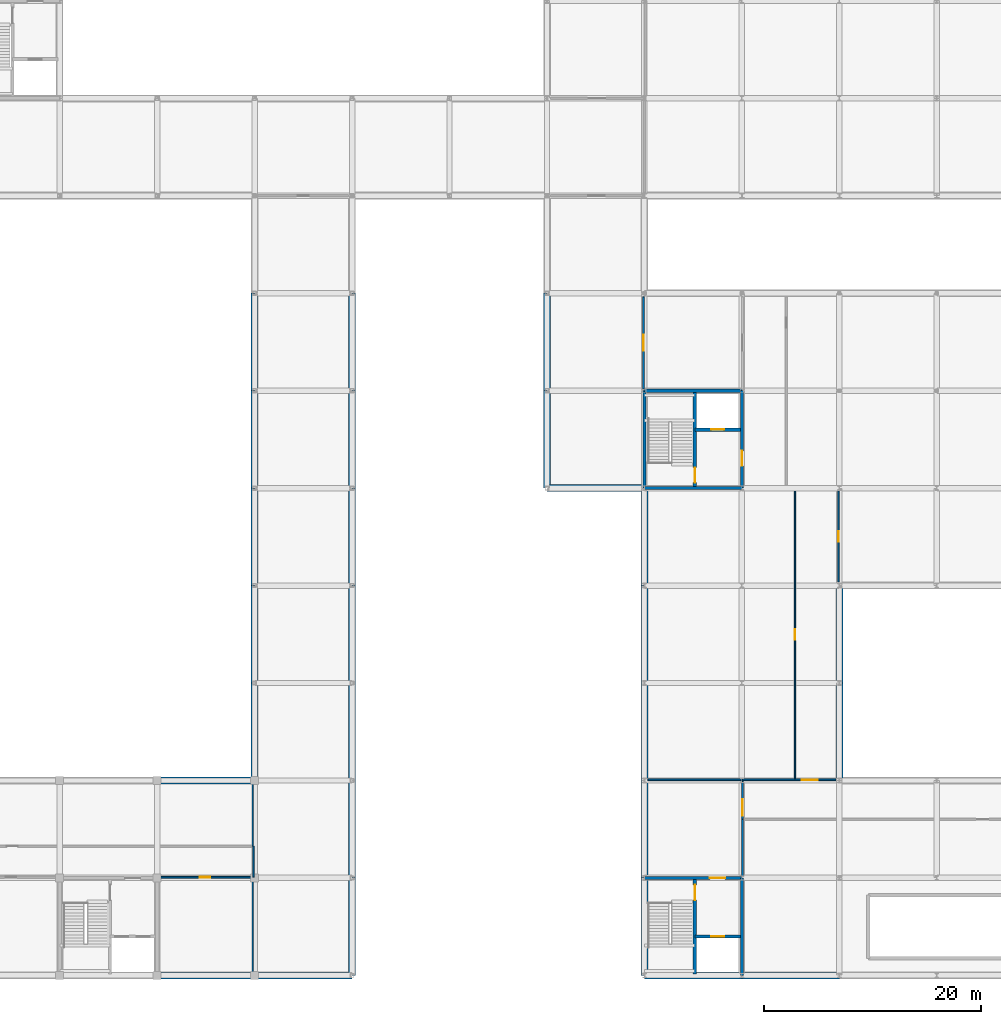
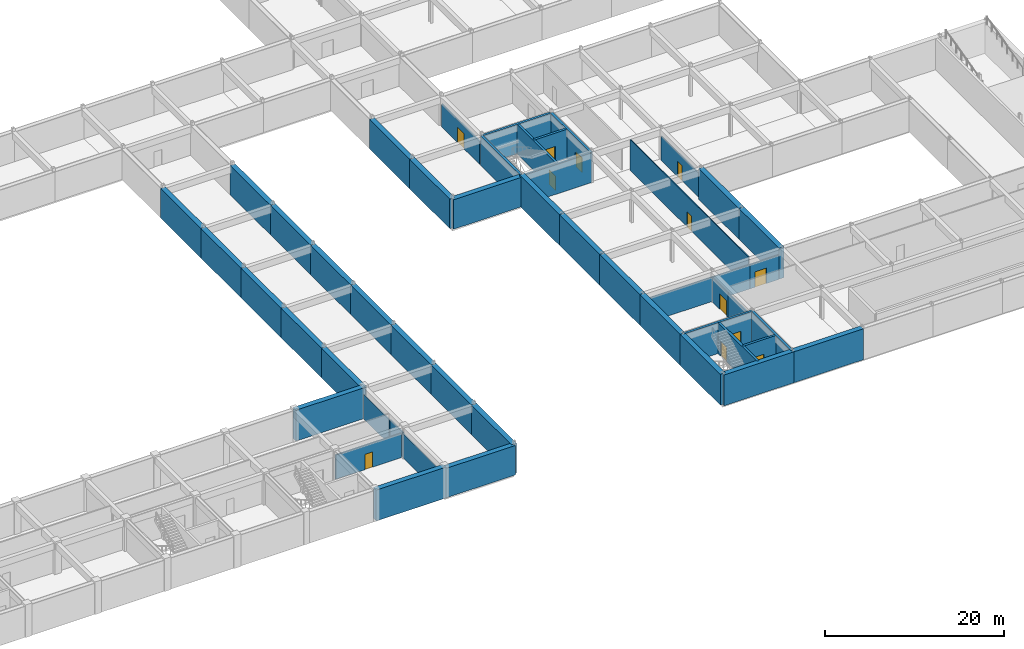
# One storey, part 21 of 35: 49 walls, 12 doors, 12 openings.
"""IFC4 building model written with IfcOpenShell, lengths in metres."""

from ifc_helpers import new_model, si_unit, direction, frame, frame_2d, origin, place, context, subcontext, project, spatial, rectangle, extrude, material, layer, layer_set, type_object, element, fill, save


model = new_model("IFC4")

# Units and contexts
model_context = context("Model", 3, precision=1e-05, world=origin(), true_north=direction((0.0, 1.0)))
body_context = subcontext(model_context, "Body", "Model", "MODEL_VIEW")
ifc_project = project(units=[si_unit("LENGTHUNIT", "METRE"), si_unit("AREAUNIT", "SQUARE_METRE"), si_unit("VOLUMEUNIT", "CUBIC_METRE"), si_unit("PLANEANGLEUNIT", "RADIAN"), si_unit("MASSUNIT", "GRAM", prefix="KILO")], contexts=[model_context])

# Site, building, storey
site_placement = place(None, origin())
site = spatial("IfcSite", under=ifc_project, at=site_placement, CompositionType="ELEMENT")
building_placement = place(site_placement, origin())
building = spatial("IfcBuilding", under=site, at=building_placement, Name="Palais des Congres Ocreval", CompositionType="ELEMENT")
storey_placement = place(building_placement, frame((0.0, 0.0, -4.47998046875)))
storey = spatial("IfcBuildingStorey", under=building, at=storey_placement, Name="B1", CompositionType="ELEMENT", Elevation=-4.47998046875)

# Wall
ifc_material_1 = material(Name="Concrete C40/50", Category="concrete")
ifc_layer_1 = layer(ifc_material_1, 0.300048828125)
ifc_layer_set_1 = layer_set([ifc_layer_1], Name="Core Shear Wall 300 Concrete C40/50")
wall_type_1 = type_object("IfcWallType", Name="Core Shear Wall 300 Concrete C40/50", PredefinedType="SHEAR", material=ifc_layer_set_1)
wall_1_placement = place(storey_placement, frame((117.0, 0.0, 0.0), z_axis=(0.0, 0.0, 1.0), x_axis=(0.0, 1.0, 0.0)))
element("IfcWall", 1, at=wall_1_placement, inside=storey, type_object=wall_type_1, Name="Core Shear Wall SC09 B1 E", PredefinedType="SHEAR", context=body_context, shape_type="SweptSolid", body=[
    extrude(rectangle(XDim=9.0, YDim=0.300048828125, at=frame_2d((4.5, 0.0))), origin(), (0.0, 0.0, 1.0), 4.219970703125),
])

# Wall, opening, door
wall_2_placement = place(storey_placement, frame((108.0, 9.0, 0.0), z_axis=(0.0, 0.0, 1.0), x_axis=(1.0, 0.0, 0.0)))
wall_2 = element("IfcWall", 2, at=wall_2_placement, inside=storey, type_object=wall_type_1, Name="Core Shear Wall SC09 B1 N", PredefinedType="SHEAR", context=body_context, shape_type="SweptSolid", body=[
    extrude(rectangle(XDim=9.0, YDim=0.300048828125, at=frame_2d((4.5, 0.0))), origin(), (0.0, 0.0, 1.0), 4.219970703125),
])
opening_1_placement = place(wall_2_placement, frame((6.050048828125, 0.0, 0.0)))
opening_1 = element("IfcOpeningElement", 3, at=opening_1_placement, cuts=wall_2, Name="Opening D03", PredefinedType="OPENING", context=body_context, shape_type="SweptSolid", body=[
    extrude(rectangle(XDim=1.39990234375, YDim=2.02001953125, at=frame_2d((0.699951171875, 1.010009765625))), frame((0.0, 0.159912109375, 0.0), z_axis=(0.0, -1.0, 0.0), x_axis=(1.0, 0.0, 0.0)), (0.0, 0.0, 1.0), 0.320068359375),
])
ifc_material_2 = material(Name="Painted fire-rated steel", Category="steel")
door_type_1 = type_object("IfcDoorType", Name="Core Lobby Rated Door 1400x2020", OperationType="NOTDEFINED", PredefinedType="DOOR", material=ifc_material_2)
door_1_placement = place(opening_1_placement, origin())
door_1 = element("IfcDoor", 4, at=door_1_placement, inside=storey, type_object=door_type_1, Name="Lobby Entrance Door SC09 B1", OperationType="DOUBLE_DOOR_SINGLE_SWING", OverallHeight=2.02001953125, OverallWidth=1.39990234375, PredefinedType="DOOR", context=body_context, shape_type="SweptSolid", body=[
    extrude(rectangle(XDim=1.39990234375, YDim=2.02001953125, at=frame_2d((0.699951171875, 1.010009765625))), frame((0.0, 0.02490234375, 0.0), z_axis=(0.0, -1.0, 0.0), x_axis=(1.0, 0.0, 0.0)), (0.0, 0.0, 1.0), 0.050048828125),
])
fill(opening_1, door_1)

wall_3_placement = place(storey_placement, frame((112.64990234375, 0.14990234375, 0.0), z_axis=(0.0, 0.0, 1.0), x_axis=(0.0, 1.0, 0.0)))
wall_3 = element("IfcWall", 5, at=wall_3_placement, inside=storey, type_object=wall_type_1, Name="Core Spine Shear Wall SC09 B1", PredefinedType="SHEAR", context=body_context, shape_type="SweptSolid", body=[
    extrude(rectangle(XDim=8.7001953125, YDim=0.300048828125, at=frame_2d((4.35009765625, 0.0))), origin(), (0.0, 0.0, 1.0), 4.219970703125),
])
opening_2_placement = place(wall_3_placement, frame((6.800048828125, 0.0, 0.0)))
opening_2 = element("IfcOpeningElement", 6, at=opening_2_placement, cuts=wall_3, Name="Opening D03", PredefinedType="OPENING", context=body_context, shape_type="SweptSolid", body=[
    extrude(rectangle(XDim=1.39990234375, YDim=2.02001953125, at=frame_2d((0.699951171875, 1.010009765625))), frame((0.0, 0.159912109375, 0.0), z_axis=(0.0, -1.0, 0.0), x_axis=(1.0, 0.0, 0.0)), (0.0, 0.0, 1.0), 0.320068359375),
])
door_2_placement = place(opening_2_placement, origin())
door_2 = element("IfcDoor", 7, at=door_2_placement, inside=storey, type_object=door_type_1, Name="Protected Exit Stair Door ST09 B1", OperationType="SINGLE_SWING_LEFT", OverallHeight=2.02001953125, OverallWidth=1.39990234375, PredefinedType="DOOR", context=body_context, shape_type="SweptSolid", body=[
    extrude(rectangle(XDim=1.39990234375, YDim=2.02001953125, at=frame_2d((0.699951171875, 1.010009765625))), frame((0.0, 0.02490234375, 0.0), z_axis=(0.0, -1.0, 0.0), x_axis=(1.0, 0.0, 0.0)), (0.0, 0.0, 1.0), 0.050048828125),
])
fill(opening_2, door_2)

wall_4_placement = place(storey_placement, frame((112.64990234375, 3.60009765625, 0.0), z_axis=(0.0, 0.0, 1.0), x_axis=(1.0, 0.0, 0.0)))
wall_4 = element("IfcWall", 8, at=wall_4_placement, inside=storey, type_object=wall_type_1, Name="Lift Shaft Front Wall SC09 B1", PredefinedType="SHEAR", context=body_context, shape_type="SweptSolid", body=[
    extrude(rectangle(XDim=4.2001953125, YDim=0.300048828125, at=frame_2d((2.10009765625, 0.0))), origin(), (0.0, 0.0, 1.0), 4.219970703125),
])
opening_3_placement = place(wall_4_placement, frame((1.5, 0.0, 0.0)))
opening_3 = element("IfcOpeningElement", 9, at=opening_3_placement, cuts=wall_4, Name="Opening LD02", PredefinedType="OPENING", context=body_context, shape_type="SweptSolid", body=[
    extrude(rectangle(XDim=1.199951171875, YDim=2.199951171875, at=frame_2d((0.60009765625, 1.10009765625))), frame((0.0, 0.159912109375, 0.0), z_axis=(0.0, -1.0, 0.0), x_axis=(1.0, 0.0, 0.0)), (0.0, 0.0, 1.0), 0.320068359375),
])
ifc_material_3 = material(Name="Anodized bronze steel", Category="steel")
door_type_2 = type_object("IfcDoorType", Name="Passenger and Service Lift Sliding Door 1200x2200", OperationType="NOTDEFINED", PredefinedType="DOOR", material=ifc_material_3)
door_3_placement = place(opening_3_placement, origin())
door_3 = element("IfcDoor", 10, at=door_3_placement, inside=storey, type_object=door_type_2, Name="Lift Landing Sliding Door CL3 B1", OperationType="DOUBLE_DOOR_SLIDING", OverallHeight=2.199951171875, OverallWidth=1.199951171875, PredefinedType="DOOR", context=body_context, shape_type="SweptSolid", body=[
    extrude(rectangle(XDim=1.199951171875, YDim=2.199951171875, at=frame_2d((0.60009765625, 1.10009765625))), frame((0.0, 0.02490234375, 0.0), z_axis=(0.0, -1.0, 0.0), x_axis=(1.0, 0.0, 0.0)), (0.0, 0.0, 1.0), 0.050048828125),
])
fill(opening_3, door_3)

# Wall
wall_5_placement = place(storey_placement, frame((108.0, 45.0, 0.0), z_axis=(0.0, 0.0, 1.0), x_axis=(1.0, 0.0, 0.0)))
element("IfcWall", 11, at=wall_5_placement, inside=storey, type_object=wall_type_1, Name="Core Shear Wall SC10 B1 S", PredefinedType="SHEAR", context=body_context, shape_type="SweptSolid", body=[
    extrude(rectangle(XDim=9.0, YDim=0.300048828125, at=frame_2d((4.5, 0.0))), origin(), (0.0, 0.0, 1.0), 4.030029296875),
])

# Wall, opening, door
wall_6_placement = place(storey_placement, frame((117.0, 45.0, 0.0), z_axis=(0.0, 0.0, 1.0), x_axis=(0.0, 1.0, 0.0)))
wall_6 = element("IfcWall", 12, at=wall_6_placement, inside=storey, type_object=wall_type_1, Name="Core Shear Wall SC10 B1 E", PredefinedType="SHEAR", context=body_context, shape_type="SweptSolid", body=[
    extrude(rectangle(XDim=9.0, YDim=0.300048828125, at=frame_2d((4.5, 0.0))), origin(), (0.0, 0.0, 1.0), 4.030029296875),
])
opening_4_placement = place(wall_6_placement, frame((2.050048828125, 0.0, 0.0)))
opening_4 = element("IfcOpeningElement", 13, at=opening_4_placement, cuts=wall_6, Name="Opening D03", PredefinedType="OPENING", context=body_context, shape_type="SweptSolid", body=[
    extrude(rectangle(XDim=1.39990234375, YDim=2.02001953125, at=frame_2d((0.699951171875, 1.010009765625))), frame((0.0, 0.159912109375, 0.0), z_axis=(0.0, -1.0, 0.0), x_axis=(1.0, 0.0, 0.0)), (0.0, 0.0, 1.0), 0.320068359375),
])
door_4_placement = place(opening_4_placement, origin())
door_4 = element("IfcDoor", 14, at=door_4_placement, inside=storey, type_object=door_type_1, Name="Lobby Entrance Door SC10 B1", OperationType="DOUBLE_DOOR_SINGLE_SWING", OverallHeight=2.02001953125, OverallWidth=1.39990234375, PredefinedType="DOOR", context=body_context, shape_type="SweptSolid", body=[
    extrude(rectangle(XDim=1.39990234375, YDim=2.02001953125, at=frame_2d((0.699951171875, 1.010009765625))), frame((0.0, 0.02490234375, 0.0), z_axis=(0.0, -1.0, 0.0), x_axis=(1.0, 0.0, 0.0)), (0.0, 0.0, 1.0), 0.050048828125),
])
fill(opening_4, door_4)

# Walls
for number, where, z_axis, x_axis, name in (
    (15, (108.0, 54.0, 0.0), (0.0, 0.0, 1.0), (1.0, 0.0, 0.0), "Core Shear Wall SC10 B1 N"),
    (16, (108.0, 45.0, 0.0), (0.0, 0.0, 1.0), (0.0, 1.0, 0.0), "Core Shear Wall SC10 B1 W"),
):
    element("IfcWall", number, at=place(storey_placement, frame(where, z_axis=z_axis, x_axis=x_axis)), inside=storey, type_object=wall_type_1, Name=name, PredefinedType="SHEAR", context=body_context, shape_type="SweptSolid", body=[
        extrude(rectangle(XDim=9.0, YDim=0.300048828125, at=frame_2d((4.5, 0.0))), origin(), (0.0, 0.0, 1.0), 4.030029296875),
    ])

# Wall, opening, door
wall_7_placement = place(storey_placement, frame((112.64990234375, 45.14990234375, 0.0), z_axis=(0.0, 0.0, 1.0), x_axis=(0.0, 1.0, 0.0)))
wall_7 = element("IfcWall", 17, at=wall_7_placement, inside=storey, type_object=wall_type_1, Name="Core Spine Shear Wall SC10 B1", PredefinedType="SHEAR", context=body_context, shape_type="SweptSolid", body=[
    extrude(rectangle(XDim=8.7001953125, YDim=0.300048828125, at=frame_2d((4.35009765625, 0.0))), origin(), (0.0, 0.0, 1.0), 4.030029296875),
])
opening_5_placement = place(wall_7_placement, frame((0.35009765625, 0.0, 0.0)))
opening_5 = element("IfcOpeningElement", 18, at=opening_5_placement, cuts=wall_7, Name="Opening D03", PredefinedType="OPENING", context=body_context, shape_type="SweptSolid", body=[
    extrude(rectangle(XDim=1.39990234375, YDim=2.02001953125, at=frame_2d((0.699951171875, 1.010009765625))), frame((0.0, 0.159912109375, 0.0), z_axis=(0.0, -1.0, 0.0), x_axis=(1.0, 0.0, 0.0)), (0.0, 0.0, 1.0), 0.320068359375),
])
door_5_placement = place(opening_5_placement, origin())
door_5 = element("IfcDoor", 19, at=door_5_placement, inside=storey, type_object=door_type_1, Name="Protected Exit Stair Door ST10 B1", OperationType="SINGLE_SWING_RIGHT", OverallHeight=2.02001953125, OverallWidth=1.39990234375, PredefinedType="DOOR", context=body_context, shape_type="SweptSolid", body=[
    extrude(rectangle(XDim=1.39990234375, YDim=2.02001953125, at=frame_2d((0.699951171875, 1.010009765625))), frame((0.0, 0.02490234375, 0.0), z_axis=(0.0, -1.0, 0.0), x_axis=(1.0, 0.0, 0.0)), (0.0, 0.0, 1.0), 0.050048828125),
])
fill(opening_5, door_5)

wall_8_placement = place(storey_placement, frame((112.64990234375, 50.39990234375, 0.0), z_axis=(0.0, 0.0, 1.0), x_axis=(1.0, 0.0, 0.0)))
wall_8 = element("IfcWall", 20, at=wall_8_placement, inside=storey, type_object=wall_type_1, Name="Lift Shaft Front Wall SC10 B1", PredefinedType="SHEAR", context=body_context, shape_type="SweptSolid", body=[
    extrude(rectangle(XDim=4.2001953125, YDim=0.300048828125, at=frame_2d((2.10009765625, 0.0))), origin(), (0.0, 0.0, 1.0), 4.030029296875),
])
opening_6_placement = place(wall_8_placement, frame((1.5, 0.0, 0.0)))
opening_6 = element("IfcOpeningElement", 21, at=opening_6_placement, cuts=wall_8, Name="Opening LD02", PredefinedType="OPENING", context=body_context, shape_type="SweptSolid", body=[
    extrude(rectangle(XDim=1.199951171875, YDim=2.199951171875, at=frame_2d((0.60009765625, 1.10009765625))), frame((0.0, 0.159912109375, 0.0), z_axis=(0.0, -1.0, 0.0), x_axis=(1.0, 0.0, 0.0)), (0.0, 0.0, 1.0), 0.320068359375),
])
door_6_placement = place(opening_6_placement, origin())
door_6 = element("IfcDoor", 22, at=door_6_placement, inside=storey, type_object=door_type_2, Name="Lift Landing Sliding Door SL1 B1", OperationType="DOUBLE_DOOR_SLIDING", OverallHeight=2.199951171875, OverallWidth=1.199951171875, PredefinedType="DOOR", context=body_context, shape_type="SweptSolid", body=[
    extrude(rectangle(XDim=1.199951171875, YDim=2.199951171875, at=frame_2d((0.60009765625, 1.10009765625))), frame((0.0, 0.02490234375, 0.0), z_axis=(0.0, -1.0, 0.0), x_axis=(1.0, 0.0, 0.0)), (0.0, 0.0, 1.0), 0.050048828125),
])
fill(opening_6, door_6)

# Walls
ifc_material_4 = material(Name="Gypsum acoustic partition")
ifc_layer_2 = layer(ifc_material_4, 0.159912109375)
ifc_layer_set_2 = layer_set([ifc_layer_2], Name="Corridor Fire Partition 160 Gypsum (Gypsum acoustic partition)")
wall_type_2 = type_object("IfcWallType", Name="Corridor Fire Partition 160 Gypsum", PredefinedType="PARTITIONING", material=ifc_layer_set_2)
wall_9_placement = place(storey_placement, frame((71.909912109375, 9.070068359375, 0.0), z_axis=(0.0, 0.0, 1.0), x_axis=(0.0, 1.0, 0.0)))
element("IfcWall", 23, at=wall_9_placement, inside=storey, type_object=wall_type_2, Name="Interior Partition IW03 B1", PredefinedType="PARTITIONING", context=body_context, shape_type="SweptSolid", body=[
    extrude(rectangle(XDim=2.85986328125, YDim=0.159912109375, at=frame_2d((1.429931640625, 0.0))), origin(), (0.0, 0.0, 1.0), 3.320068359375),
])
wall_10_placement = place(storey_placement, frame((117.06494140625, 9.155029296875, 0.0), z_axis=(0.0, 0.0, 1.0), x_axis=(0.0, 1.0, 0.0)))
element("IfcWall", 24, at=wall_10_placement, inside=storey, type_object=wall_type_2, Name="Interior Partition IW03 B1", PredefinedType="PARTITIONING", context=body_context, shape_type="SweptSolid", body=[
    extrude(rectangle(XDim=5.244873046875, YDim=0.159912109375, at=frame_2d((2.62255859375, 0.0))), origin(), (0.0, 0.0, 1.0), 3.320068359375),
])
wall_11_placement = place(storey_placement, frame((108.330078125, 18.06494140625, 0.0), z_axis=(0.0, 0.0, 1.0), x_axis=(1.0, 0.0, 0.0)))
element("IfcWall", 25, at=wall_11_placement, inside=storey, type_object=wall_type_2, Name="Interior Partition IW03 B1", PredefinedType="PARTITIONING", context=body_context, shape_type="SweptSolid", body=[
    extrude(rectangle(XDim=8.72998046875, YDim=0.159912109375, at=frame_2d((4.364990234375, 0.0))), origin(), (0.0, 0.0, 1.0), 3.320068359375),
])
wall_12_placement = place(storey_placement, frame((117.070068359375, 18.06494140625, 0.0), z_axis=(0.0, 0.0, 1.0), x_axis=(1.0, 0.0, 0.0)))
element("IfcWall", 26, at=wall_12_placement, inside=storey, type_object=wall_type_2, Name="Interior Partition IW03 B1", PredefinedType="PARTITIONING", context=body_context, shape_type="SweptSolid", body=[
    extrude(rectangle(XDim=4.829833984375, YDim=0.159912109375, at=frame_2d((2.4150390625, 0.0))), origin(), (0.0, 0.0, 1.0), 3.320068359375),
])

# Wall, opening, door
wall_13_placement = place(storey_placement, frame((63.155029296875, 9.06494140625, 0.0), z_axis=(0.0, 0.0, 1.0), x_axis=(1.0, 0.0, 0.0)))
wall_13 = element("IfcWall", 27, at=wall_13_placement, inside=storey, type_object=wall_type_2, Name="Interior Partition IW03 B1", PredefinedType="PARTITIONING", context=body_context, shape_type="SweptSolid", body=[
    extrude(rectangle(XDim=8.514892578125, YDim=0.159912109375, at=frame_2d((4.25732421875, 0.0))), origin(), (0.0, 0.0, 1.0), 3.320068359375),
])
opening_7_placement = place(wall_13_placement, frame((3.757568359375, 0.0, 0.0)))
opening_7 = element("IfcOpeningElement", 28, at=opening_7_placement, cuts=wall_13, Name="Opening D10", PredefinedType="OPENING", context=body_context, shape_type="SweptSolid", body=[
    extrude(rectangle(XDim=1.0, YDim=2.10009765625, at=frame_2d((0.5, 1.050048828125))), frame((0.0, 0.08984375, 0.0), z_axis=(0.0, -1.0, 0.0), x_axis=(1.0, 0.0, 0.0)), (0.0, 0.0, 1.0), 0.179931640625),
])
ifc_material_5 = material(Name="Painted steel", Category="steel")
door_type_3 = type_object("IfcDoorType", Name="Service and Pantry Door 1000x2100", OperationType="NOTDEFINED", PredefinedType="DOOR", material=ifc_material_5)
door_7_placement = place(opening_7_placement, origin())
door_7 = element("IfcDoor", 29, at=door_7_placement, inside=storey, type_object=door_type_3, Name="Interior Door D10 B1", OperationType="SINGLE_SWING_LEFT", OverallHeight=2.10009765625, OverallWidth=1.0, PredefinedType="DOOR", context=body_context, shape_type="SweptSolid", body=[
    extrude(rectangle(XDim=1.0, YDim=2.10009765625, at=frame_2d((0.5, 1.050048828125))), frame((0.0, 0.02490234375, 0.0), z_axis=(0.0, -1.0, 0.0), x_axis=(1.0, 0.0, 0.0)), (0.0, 0.0, 1.0), 0.050048828125),
])
fill(opening_7, door_7)

wall_14_placement = place(storey_placement, frame((107.909912109375, 54.155029296875, 0.0), z_axis=(0.0, 0.0, 1.0), x_axis=(0.0, 1.0, 0.0)))
wall_14 = element("IfcWall", 30, at=wall_14_placement, inside=storey, type_object=wall_type_2, Name="Interior Partition IW03 B1", PredefinedType="PARTITIONING", context=body_context, shape_type="SweptSolid", body=[
    extrude(rectangle(XDim=8.514892578125, YDim=0.159912109375, at=frame_2d((4.25732421875, 0.0))), origin(), (0.0, 0.0, 1.0), 3.1298828125),
])
opening_8_placement = place(wall_14_placement, frame((3.507568359375, 0.0, 0.0)))
opening_8 = element("IfcOpeningElement", 31, at=opening_8_placement, cuts=wall_14, Name="Opening D04", PredefinedType="OPENING", context=body_context, shape_type="SweptSolid", body=[
    extrude(rectangle(XDim=1.5, YDim=2.10009765625, at=frame_2d((0.75, 1.050048828125))), frame((0.0, 0.08984375, 0.0), z_axis=(0.0, -1.0, 0.0), x_axis=(1.0, 0.0, 0.0)), (0.0, 0.0, 1.0), 0.179931640625),
])
ifc_material_6 = material(Name="Solid French oak fire door", Category="wood")
door_type_4 = type_object("IfcDoorType", Name="Corridor Compartment Double Door 1500x2100", OperationType="NOTDEFINED", PredefinedType="DOOR", material=ifc_material_6)
door_8_placement = place(opening_8_placement, origin())
door_8 = element("IfcDoor", 32, at=door_8_placement, inside=storey, type_object=door_type_4, Name="Interior Door D04 B1", OperationType="DOUBLE_DOOR_SINGLE_SWING", OverallHeight=2.10009765625, OverallWidth=1.5, PredefinedType="DOOR", context=body_context, shape_type="SweptSolid", body=[
    extrude(rectangle(XDim=1.5, YDim=2.10009765625, at=frame_2d((0.75, 1.050048828125))), frame((0.0, 0.02490234375, 0.0), z_axis=(0.0, -1.0, 0.0), x_axis=(1.0, 0.0, 0.0)), (0.0, 0.0, 1.0), 0.050048828125),
])
fill(opening_8, door_8)

wall_15_placement = place(storey_placement, frame((117.06494140625, 14.419921875, 0.0), z_axis=(0.0, 0.0, 1.0), x_axis=(0.0, 1.0, 0.0)))
wall_15 = element("IfcWall", 33, at=wall_15_placement, inside=storey, type_object=wall_type_2, Name="Interior Partition IW03 B1", PredefinedType="PARTITIONING", context=body_context, shape_type="SweptSolid", body=[
    extrude(rectangle(XDim=3.489990234375, YDim=0.159912109375, at=frame_2d((1.7451171875, 0.0))), origin(), (0.0, 0.0, 1.0), 3.320068359375),
])
opening_9_placement = place(wall_15_placement, frame((0.340087890625, 0.0, 0.0)))
opening_9 = element("IfcOpeningElement", 34, at=opening_9_placement, cuts=wall_15, Name="Opening D04", PredefinedType="OPENING", context=body_context, shape_type="SweptSolid", body=[
    extrude(rectangle(XDim=1.5, YDim=2.10009765625, at=frame_2d((0.75, 1.050048828125))), frame((0.0, 0.08984375, 0.0), z_axis=(0.0, -1.0, 0.0), x_axis=(1.0, 0.0, 0.0)), (0.0, 0.0, 1.0), 0.179931640625),
])
door_9_placement = place(opening_9_placement, origin())
door_9 = element("IfcDoor", 35, at=door_9_placement, inside=storey, type_object=door_type_4, Name="Interior Door D04 B1", OperationType="DOUBLE_DOOR_SINGLE_SWING", OverallHeight=2.10009765625, OverallWidth=1.5, PredefinedType="DOOR", context=body_context, shape_type="SweptSolid", body=[
    extrude(rectangle(XDim=1.5, YDim=2.10009765625, at=frame_2d((0.75, 1.050048828125))), frame((0.0, 0.02490234375, 0.0), z_axis=(0.0, -1.0, 0.0), x_axis=(1.0, 0.0, 0.0)), (0.0, 0.0, 1.0), 0.050048828125),
])
fill(opening_9, door_9)

wall_16_placement = place(storey_placement, frame((121.919921875, 18.06494140625, 0.0), z_axis=(0.0, 0.0, 1.0), x_axis=(1.0, 0.0, 0.0)))
wall_16 = element("IfcWall", 36, at=wall_16_placement, inside=storey, type_object=wall_type_2, Name="Interior Partition IW03 B1", PredefinedType="PARTITIONING", context=body_context, shape_type="SweptSolid", body=[
    extrude(rectangle(XDim=3.75, YDim=0.159912109375, at=frame_2d((1.875, 0.0))), origin(), (0.0, 0.0, 1.0), 3.320068359375),
])
opening_10_placement = place(wall_16_placement, frame((0.60009765625, 0.0, 0.0)))
opening_10 = element("IfcOpeningElement", 37, at=opening_10_placement, cuts=wall_16, Name="Opening D04", PredefinedType="OPENING", context=body_context, shape_type="SweptSolid", body=[
    extrude(rectangle(XDim=1.5, YDim=2.10009765625, at=frame_2d((0.75, 1.050048828125))), frame((0.0, 0.08984375, 0.0), z_axis=(0.0, -1.0, 0.0), x_axis=(1.0, 0.0, 0.0)), (0.0, 0.0, 1.0), 0.179931640625),
])
door_10_placement = place(opening_10_placement, origin())
door_10 = element("IfcDoor", 38, at=door_10_placement, inside=storey, type_object=door_type_4, Name="Interior Door D04 B1", OperationType="DOUBLE_DOOR_SINGLE_SWING", OverallHeight=2.10009765625, OverallWidth=1.5, PredefinedType="DOOR", context=body_context, shape_type="SweptSolid", body=[
    extrude(rectangle(XDim=1.5, YDim=2.10009765625, at=frame_2d((0.75, 1.050048828125))), frame((0.0, 0.02490234375, 0.0), z_axis=(0.0, -1.0, 0.0), x_axis=(1.0, 0.0, 0.0)), (0.0, 0.0, 1.0), 0.050048828125),
])
fill(opening_10, door_10)

# Walls
ifc_material_7 = material(Name="Gypsum board partition")
ifc_layer_3 = layer(ifc_material_7, 0.1201171875)
ifc_layer_set_3 = layer_set([ifc_layer_3], Name="Suite Subdivision Partition 120 Gypsum (Gypsum board partition)")
wall_type_3 = type_object("IfcWallType", Name="Suite Subdivision Partition 120 Gypsum", PredefinedType="PARTITIONING", material=ifc_layer_set_3)
wall_17_placement = place(storey_placement, frame((71.824951171875, 0.330078125, 0.0), z_axis=(0.0, 0.0, 1.0), x_axis=(0.0, 1.0, 0.0)))
element("IfcWall", 39, at=wall_17_placement, inside=storey, type_object=wall_type_3, Name="Interior Partition IW04 B1", PredefinedType="PARTITIONING", context=body_context, shape_type="SweptSolid", body=[
    extrude(rectangle(XDim=8.72998046875, YDim=0.1201171875, at=frame_2d((4.364990234375, 0.0))), origin(), (0.0, 0.0, 1.0), 3.320068359375),
])
wall_18_placement = place(storey_placement, frame((71.824951171875, 11.93994140625, 0.0), z_axis=(0.0, 0.0, 1.0), x_axis=(0.0, 1.0, 0.0)))
element("IfcWall", 40, at=wall_18_placement, inside=storey, type_object=wall_type_3, Name="Interior Partition IW04 B1", PredefinedType="PARTITIONING", context=body_context, shape_type="SweptSolid", body=[
    extrude(rectangle(XDim=5.72998046875, YDim=0.1201171875, at=frame_2d((2.864990234375, 0.0))), origin(), (0.0, 0.0, 1.0), 3.320068359375),
])

# Wall, opening, door
wall_19_placement = place(storey_placement, frame((121.909912109375, 18.219970703125, 0.0), z_axis=(0.0, 0.0, 1.0), x_axis=(0.0, 1.0, 0.0)))
wall_19 = element("IfcWall", 41, at=wall_19_placement, inside=storey, type_object=wall_type_3, Name="Interior Partition IW04 B1", PredefinedType="PARTITIONING", context=body_context, shape_type="SweptSolid", body=[
    extrude(rectangle(XDim=26.510009765625, YDim=0.1201171875, at=frame_2d((13.2548828125, 0.0))), origin(), (0.0, 0.0, 1.0), 4.219970703125),
])
opening_11_placement = place(wall_19_placement, frame((12.7548828125, 0.0, 0.0)))
opening_11 = element("IfcOpeningElement", 42, at=opening_11_placement, cuts=wall_19, Name="Opening D10", PredefinedType="OPENING", context=body_context, shape_type="SweptSolid", body=[
    extrude(rectangle(XDim=1.0, YDim=2.10009765625, at=frame_2d((0.5, 1.050048828125))), frame((0.0, 0.070068359375, 0.0), z_axis=(0.0, -1.0, 0.0), x_axis=(1.0, 0.0, 0.0)), (0.0, 0.0, 1.0), 0.14013671875),
])
door_11_placement = place(opening_11_placement, origin())
door_11 = element("IfcDoor", 43, at=door_11_placement, inside=storey, type_object=door_type_3, Name="Interior Door D10 B1", OperationType="SINGLE_SWING_LEFT", OverallHeight=2.10009765625, OverallWidth=1.0, PredefinedType="DOOR", context=body_context, shape_type="SweptSolid", body=[
    extrude(rectangle(XDim=1.0, YDim=2.10009765625, at=frame_2d((0.5, 1.050048828125))), frame((0.0, 0.02490234375, 0.0), z_axis=(0.0, -1.0, 0.0), x_axis=(1.0, 0.0, 0.0)), (0.0, 0.0, 1.0), 0.050048828125),
])
fill(opening_11, door_11)

wall_20_placement = place(storey_placement, frame((125.909912109375, 36.330078125, 0.0), z_axis=(0.0, 0.0, 1.0), x_axis=(0.0, 1.0, 0.0)))
wall_20 = element("IfcWall", 44, at=wall_20_placement, inside=storey, type_object=wall_type_3, Name="Interior Partition IW04 B1", PredefinedType="PARTITIONING", context=body_context, shape_type="SweptSolid", body=[
    extrude(rectangle(XDim=8.39990234375, YDim=0.1201171875, at=frame_2d((4.199951171875, 0.0))), origin(), (0.0, 0.0, 1.0), 3.320068359375),
])
opening_12_placement = place(wall_20_placement, frame((3.699951171875, 0.0, 0.0)))
opening_12 = element("IfcOpeningElement", 45, at=opening_12_placement, cuts=wall_20, Name="Opening D10", PredefinedType="OPENING", context=body_context, shape_type="SweptSolid", body=[
    extrude(rectangle(XDim=1.0, YDim=2.10009765625, at=frame_2d((0.5, 1.050048828125))), frame((0.0, 0.070068359375, 0.0), z_axis=(0.0, -1.0, 0.0), x_axis=(1.0, 0.0, 0.0)), (0.0, 0.0, 1.0), 0.14013671875),
])
door_12_placement = place(opening_12_placement, origin())
door_12 = element("IfcDoor", 46, at=door_12_placement, inside=storey, type_object=door_type_3, Name="Interior Door D10 B1", OperationType="SINGLE_SWING_RIGHT", OverallHeight=2.10009765625, OverallWidth=1.0, PredefinedType="DOOR", context=body_context, shape_type="SweptSolid", body=[
    extrude(rectangle(XDim=1.0, YDim=2.10009765625, at=frame_2d((0.5, 1.050048828125))), frame((0.0, 0.02490234375, 0.0), z_axis=(0.0, -1.0, 0.0), x_axis=(1.0, 0.0, 0.0)), (0.0, 0.0, 1.0), 0.050048828125),
])
fill(opening_12, door_12)

# Walls
ifc_material_8 = material(Name="Concrete C35/45", Category="concrete")
ifc_layer_4 = layer(ifc_material_8, 0.64990234375)
ifc_layer_set_4 = layer_set([ifc_layer_4], Name="Upper Retaining Wall 650 Concrete C35/45")
wall_type_4 = type_object("IfcWallType", Name="Upper Retaining Wall 650 Concrete C35/45", PredefinedType="USERDEFINED", material=ifc_layer_set_4)
for number, where, z_axis, x_axis, name in (
    (47, (72.0, 0.0, 0.0), (0.0, 0.0, 1.0), (-1.0, 0.0, 0.0), "Basement Diaphragm Wall RW02 B1"),
    (48, (126.0, 0.0, 0.0), (0.0, 0.0, 1.0), (-1.0, 0.0, 0.0), "Basement Diaphragm Wall RW02 B1"),
    (49, (117.0, 0.0, 0.0), (0.0, 0.0, 1.0), (-1.0, 0.0, 0.0), "Basement Diaphragm Wall RW02 B1"),
    (50, (108.0, 0.0, 0.0), (0.0, 0.0, 1.0), (0.0, 1.0, 0.0), "Basement Diaphragm Wall RW02 B1"),
    (51, (108.0, 9.0, 0.0), (0.0, 0.0, 1.0), (0.0, 1.0, 0.0), "Basement Diaphragm Wall RW02 B1"),
    (52, (108.0, 18.0, 0.0), (0.0, 0.0, 1.0), (0.0, 1.0, 0.0), "Basement Diaphragm Wall RW02 B1"),
    (53, (108.0, 27.0, 0.0), (0.0, 0.0, 1.0), (0.0, 1.0, 0.0), "Basement Diaphragm Wall RW02 B1"),
    (54, (108.0, 36.0, 0.0), (0.0, 0.0, 1.0), (0.0, 1.0, 0.0), "Basement Diaphragm Wall RW02 B1"),
):
    element("IfcWall", number, at=place(storey_placement, frame(where, z_axis=z_axis, x_axis=x_axis)), inside=storey, type_object=wall_type_4, Name=name, ObjectType="RETAININGWALL", PredefinedType="USERDEFINED", context=body_context, shape_type="SweptSolid", body=[
        extrude(rectangle(XDim=9.0, YDim=0.64990234375, at=frame_2d((4.5, 0.0))), origin(), (0.0, 0.0, 1.0), 4.219970703125),
    ])
for number, where, z_axis, x_axis, name in (
    (55, (108.0, 45.0, 0.0), (0.0, 0.0, 1.0), (-1.0, 0.0, 0.0), "Basement Diaphragm Wall RW02 B1"),
    (56, (99.0, 45.0, 0.0), (0.0, 0.0, 1.0), (0.0, 1.0, 0.0), "Basement Diaphragm Wall RW02 B1"),
    (57, (99.0, 54.0, 0.0), (0.0, 0.0, 1.0), (0.0, 1.0, 0.0), "Basement Diaphragm Wall RW02 B1"),
    (58, (81.0, 63.0, 0.0), (0.0, 0.0, 1.0), (0.0, -1.0, 0.0), "Basement Diaphragm Wall RW02 B1"),
    (59, (81.0, 54.0, 0.0), (0.0, 0.0, 1.0), (0.0, -1.0, 0.0), "Basement Diaphragm Wall RW02 B1"),
    (60, (81.0, 45.0, 0.0), (0.0, 0.0, 1.0), (0.0, -1.0, 0.0), "Basement Diaphragm Wall RW02 B1"),
    (61, (81.0, 36.0, 0.0), (0.0, 0.0, 1.0), (0.0, -1.0, 0.0), "Basement Diaphragm Wall RW02 B1"),
    (62, (81.0, 27.0, 0.0), (0.0, 0.0, 1.0), (0.0, -1.0, 0.0), "Basement Diaphragm Wall RW02 B1"),
    (63, (81.0, 18.0, 0.0), (0.0, 0.0, 1.0), (0.0, -1.0, 0.0), "Basement Diaphragm Wall RW02 B1"),
    (64, (81.0, 9.0, 0.0), (0.0, 0.0, 1.0), (0.0, -1.0, 0.0), "Basement Diaphragm Wall RW02 B1"),
    (65, (81.0, 0.0, 0.0), (0.0, 0.0, 1.0), (-1.0, 0.0, 0.0), "Basement Diaphragm Wall RW02 B1"),
):
    element("IfcWall", number, at=place(storey_placement, frame(where, z_axis=z_axis, x_axis=x_axis)), inside=storey, type_object=wall_type_4, Name=name, ObjectType="RETAININGWALL", PredefinedType="USERDEFINED", context=body_context, shape_type="SweptSolid", body=[
        extrude(rectangle(XDim=9.0, YDim=0.64990234375, at=frame_2d((4.5, 0.0))), origin(), (0.0, 0.0, 1.0), 4.030029296875),
    ])
wall_21_placement = place(storey_placement, frame((63.0, 18.0, 0.0), z_axis=(0.0, 0.0, 1.0), x_axis=(1.0, 0.0, 0.0)))
element("IfcWall", 66, at=wall_21_placement, inside=storey, type_object=wall_type_4, Name="Basement Diaphragm Wall RW02 B1", ObjectType="RETAININGWALL", PredefinedType="USERDEFINED", context=body_context, shape_type="SweptSolid", body=[
    extrude(rectangle(XDim=9.0, YDim=0.64990234375, at=frame_2d((4.5, 0.0))), origin(), (0.0, 0.0, 1.0), 4.219970703125),
])
for number, where, z_axis, x_axis, name in (
    (67, (72.0, 18.0, 0.0), (0.0, 0.0, 1.0), (0.0, 1.0, 0.0), "Basement Diaphragm Wall RW02 B1"),
    (68, (72.0, 27.0, 0.0), (0.0, 0.0, 1.0), (0.0, 1.0, 0.0), "Basement Diaphragm Wall RW02 B1"),
    (69, (72.0, 36.0, 0.0), (0.0, 0.0, 1.0), (0.0, 1.0, 0.0), "Basement Diaphragm Wall RW02 B1"),
    (70, (72.0, 45.0, 0.0), (0.0, 0.0, 1.0), (0.0, 1.0, 0.0), "Basement Diaphragm Wall RW02 B1"),
    (71, (72.0, 54.0, 0.0), (0.0, 0.0, 1.0), (0.0, 1.0, 0.0), "Basement Diaphragm Wall RW02 B1"),
):
    element("IfcWall", number, at=place(storey_placement, frame(where, z_axis=z_axis, x_axis=x_axis)), inside=storey, type_object=wall_type_4, Name=name, ObjectType="RETAININGWALL", PredefinedType="USERDEFINED", context=body_context, shape_type="SweptSolid", body=[
        extrude(rectangle(XDim=9.0, YDim=0.64990234375, at=frame_2d((4.5, 0.0))), origin(), (0.0, 0.0, 1.0), 4.030029296875),
    ])
for number, where, z_axis, x_axis, name in (
    (72, (126.0, 36.0, 0.0), (0.0, 0.0, 1.0), (0.0, -1.0, 0.0), "Basement Diaphragm Wall RW02 B1"),
    (73, (126.0, 27.0, 0.0), (0.0, 0.0, 1.0), (0.0, -1.0, 0.0), "Basement Diaphragm Wall RW02 B1"),
):
    element("IfcWall", number, at=place(storey_placement, frame(where, z_axis=z_axis, x_axis=x_axis)), inside=storey, type_object=wall_type_4, Name=name, ObjectType="RETAININGWALL", PredefinedType="USERDEFINED", context=body_context, shape_type="SweptSolid", body=[
        extrude(rectangle(XDim=9.0, YDim=0.64990234375, at=frame_2d((4.5, 0.0))), origin(), (0.0, 0.0, 1.0), 4.219970703125),
    ])

save(model, "model.ifc")
